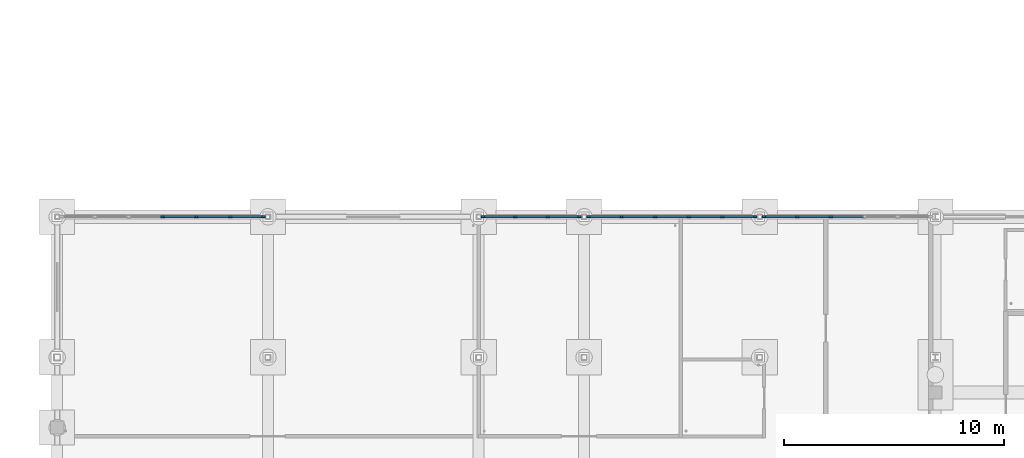
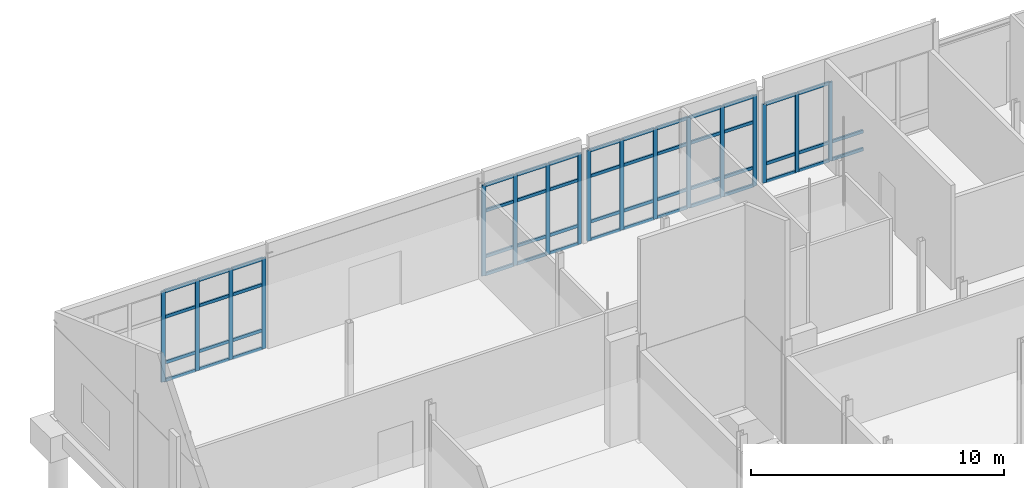
# One storey, part 29 of 111: 69 members, 4 elements without a shape of their own.
"""IFC4 building model written with IfcOpenShell, lengths in metres."""

from ifc_helpers import new_model, si_unit, direction, frame, origin, origin_2d, place, context, subcontext, project, spatial, rectangle, extrude, material, material_profile, profile_set, type_object, element, aggregate, save


model = new_model("IFC4")

# Units and contexts
model_context = context("Model", 3, precision=1e-05, world=origin(), true_north=direction((0.0, 1.0)))
body_context = subcontext(model_context, "Body", "Model", "MODEL_VIEW")
ifc_project = project(units=[si_unit("LENGTHUNIT", "METRE"), si_unit("AREAUNIT", "SQUARE_METRE"), si_unit("VOLUMEUNIT", "CUBIC_METRE"), si_unit("PLANEANGLEUNIT", "RADIAN"), si_unit("MASSUNIT", "GRAM", prefix="KILO")], contexts=[model_context])

# Site, building, storey
site_placement = place(None, origin())
site = spatial("IfcSite", under=ifc_project, at=site_placement, CompositionType="ELEMENT")
building_placement = place(site_placement, origin())
building = spatial("IfcBuilding", under=site, at=building_placement, Name="Dunescarp Central Library", CompositionType="ELEMENT")
storey_placement = place(building_placement, origin())
storey = spatial("IfcBuildingStorey", under=building, at=storey_placement, Name="L00", CompositionType="ELEMENT", Elevation=0.0)

# Curtain wall, members
ifc_material = material(Name="Marine-grade anodised aluminium 6063-T6", Category="aluminium")
curtain_wall_type = type_object("IfcCurtainWallType", Name="ARC-CW-STICK", PredefinedType="NOTDEFINED", material=ifc_material)
curtain_wall_1_placement = place(storey_placement, origin())
curtain_wall_1 = element("IfcCurtainWall", 1, at=curtain_wall_1_placement, inside=storey, type_object=curtain_wall_type, Name="L00 curtain wall CW-CLN-189", PredefinedType="NOTDEFINED")
ifc_material_profile_1 = material_profile(ifc_material, rectangle(XDim=0.080078125, YDim=0.179931640625, at=origin_2d()), Name="AL 80x180")
ifc_profile_set_1 = profile_set([ifc_material_profile_1], Name="Marine-grade anodised aluminium 6063-T6")
member_type_1 = type_object("IfcMemberType", Name="ARC-CWM-180", PredefinedType="MULLION", material=ifc_profile_set_1)
member_1_placement = place(storey_placement, frame((62.39990234375, 49.60009765625, 0.0), z_axis=(0.0, 0.0, 1.0), x_axis=(0.0, 1.0, 0.0)))
member_1 = element("IfcMember", 2, at=member_1_placement, type_object=member_type_1, Name="CW-CLN-189 mullion 4", PredefinedType="MULLION", context=body_context, shape_type="SweptSolid", body=[
    extrude(rectangle(XDim=0.080078125, YDim=0.179931640625, at=origin_2d()), origin(), (0.0, 0.0, 1.0), 4.3720703125),
])
member_2_placement = place(storey_placement, frame((63.941650390625, 49.60009765625, 0.0), z_axis=(0.0, 0.0, 1.0), x_axis=(0.0, 1.0, 0.0)))
member_2 = element("IfcMember", 3, at=member_2_placement, type_object=member_type_1, Name="CW-CLN-189 mullion 5", PredefinedType="MULLION", context=body_context, shape_type="SweptSolid", body=[
    extrude(rectangle(XDim=0.080078125, YDim=0.179931640625, at=origin_2d()), origin(), (0.0, 0.0, 1.0), 4.3720703125),
])
member_3_placement = place(storey_placement, frame((65.4833984375, 49.60009765625, 0.0), z_axis=(0.0, 0.0, 1.0), x_axis=(0.0, 1.0, 0.0)))
member_3 = element("IfcMember", 4, at=member_3_placement, type_object=member_type_1, Name="CW-CLN-189 mullion 6", PredefinedType="MULLION", context=body_context, shape_type="SweptSolid", body=[
    extrude(rectangle(XDim=0.080078125, YDim=0.179931640625, at=origin_2d()), origin(), (0.0, 0.0, 1.0), 4.3720703125),
])
member_4_placement = place(storey_placement, frame((66.985107421875, 49.60009765625, 0.0), z_axis=(0.0, 0.0, 1.0), x_axis=(0.0, 1.0, 0.0)))
member_4 = element("IfcMember", 5, at=member_4_placement, type_object=member_type_1, Name="CW-CLN-189 mullion 7", PredefinedType="MULLION", context=body_context, shape_type="SweptSolid", body=[
    extrude(rectangle(XDim=0.080078125, YDim=0.179931640625, at=origin_2d()), origin(), (0.0, 0.0, 1.0), 4.3720703125),
])

curtain_wall_2_placement = place(storey_placement, origin())
curtain_wall_2 = element("IfcCurtainWall", 6, at=curtain_wall_2_placement, inside=storey, type_object=curtain_wall_type, Name="L00 curtain wall CW-CLN-190", PredefinedType="NOTDEFINED")
member_5_placement = place(storey_placement, frame((77.014892578125, 49.60009765625, 0.0), z_axis=(0.0, 0.0, 1.0), x_axis=(0.0, 1.0, 0.0)))
member_5 = element("IfcMember", 7, at=member_5_placement, type_object=member_type_1, Name="CW-CLN-190 mullion 1", PredefinedType="MULLION", context=body_context, shape_type="SweptSolid", body=[
    extrude(rectangle(XDim=0.080078125, YDim=0.179931640625, at=origin_2d()), origin(), (0.0, 0.0, 1.0), 4.3720703125),
])
member_6_placement = place(storey_placement, frame((78.458251953125, 49.60009765625, 0.0), z_axis=(0.0, 0.0, 1.0), x_axis=(0.0, 1.0, 0.0)))
member_6 = element("IfcMember", 8, at=member_6_placement, type_object=member_type_1, Name="CW-CLN-190 mullion 2", PredefinedType="MULLION", context=body_context, shape_type="SweptSolid", body=[
    extrude(rectangle(XDim=0.080078125, YDim=0.179931640625, at=origin_2d()), origin(), (0.0, 0.0, 1.0), 4.3720703125),
])
member_7_placement = place(storey_placement, frame((79.941650390625, 49.60009765625, 0.0), z_axis=(0.0, 0.0, 1.0), x_axis=(0.0, 1.0, 0.0)))
member_7 = element("IfcMember", 9, at=member_7_placement, type_object=member_type_1, Name="CW-CLN-190 mullion 3", PredefinedType="MULLION", context=body_context, shape_type="SweptSolid", body=[
    extrude(rectangle(XDim=0.080078125, YDim=0.179931640625, at=origin_2d()), origin(), (0.0, 0.0, 1.0), 4.3720703125),
])
member_8_placement = place(storey_placement, frame((81.385009765625, 49.60009765625, 0.0), z_axis=(0.0, 0.0, 1.0), x_axis=(0.0, 1.0, 0.0)))
member_8 = element("IfcMember", 10, at=member_8_placement, type_object=member_type_1, Name="CW-CLN-190 mullion 4", PredefinedType="MULLION", context=body_context, shape_type="SweptSolid", body=[
    extrude(rectangle(XDim=0.080078125, YDim=0.179931640625, at=origin_2d()), origin(), (0.0, 0.0, 1.0), 4.3720703125),
])

curtain_wall_3_placement = place(storey_placement, origin())
curtain_wall_3 = element("IfcCurtainWall", 11, at=curtain_wall_3_placement, inside=storey, type_object=curtain_wall_type, Name="L00 curtain wall CW-CLN-191", PredefinedType="NOTDEFINED")
member_9_placement = place(storey_placement, frame((81.81494140625, 49.60009765625, 0.0), z_axis=(0.0, 0.0, 1.0), x_axis=(0.0, 1.0, 0.0)))
member_9 = element("IfcMember", 12, at=member_9_placement, type_object=member_type_1, Name="CW-CLN-191 mullion 1", PredefinedType="MULLION", context=body_context, shape_type="SweptSolid", body=[
    extrude(rectangle(XDim=0.080078125, YDim=0.179931640625, at=origin_2d()), origin(), (0.0, 0.0, 1.0), 4.3720703125),
])
member_10_placement = place(storey_placement, frame((83.304931640625, 49.60009765625, 0.0), z_axis=(0.0, 0.0, 1.0), x_axis=(0.0, 1.0, 0.0)))
member_10 = element("IfcMember", 13, at=member_10_placement, type_object=member_type_1, Name="CW-CLN-191 mullion 2", PredefinedType="MULLION", context=body_context, shape_type="SweptSolid", body=[
    extrude(rectangle(XDim=0.080078125, YDim=0.179931640625, at=origin_2d()), origin(), (0.0, 0.0, 1.0), 4.3720703125),
])
member_11_placement = place(storey_placement, frame((84.8349609375, 49.60009765625, 0.0), z_axis=(0.0, 0.0, 1.0), x_axis=(0.0, 1.0, 0.0)))
member_11 = element("IfcMember", 14, at=member_11_placement, type_object=member_type_1, Name="CW-CLN-191 mullion 3", PredefinedType="MULLION", context=body_context, shape_type="SweptSolid", body=[
    extrude(rectangle(XDim=0.080078125, YDim=0.179931640625, at=origin_2d()), origin(), (0.0, 0.0, 1.0), 4.3720703125),
])
member_12_placement = place(storey_placement, frame((86.364990234375, 49.60009765625, 0.0), z_axis=(0.0, 0.0, 1.0), x_axis=(0.0, 1.0, 0.0)))
member_12 = element("IfcMember", 15, at=member_12_placement, type_object=member_type_1, Name="CW-CLN-191 mullion 4", PredefinedType="MULLION", context=body_context, shape_type="SweptSolid", body=[
    extrude(rectangle(XDim=0.080078125, YDim=0.179931640625, at=origin_2d()), origin(), (0.0, 0.0, 1.0), 4.3720703125),
])
member_13_placement = place(storey_placement, frame((87.89501953125, 49.60009765625, 0.0), z_axis=(0.0, 0.0, 1.0), x_axis=(0.0, 1.0, 0.0)))
member_13 = element("IfcMember", 16, at=member_13_placement, type_object=member_type_1, Name="CW-CLN-191 mullion 5", PredefinedType="MULLION", context=body_context, shape_type="SweptSolid", body=[
    extrude(rectangle(XDim=0.080078125, YDim=0.179931640625, at=origin_2d()), origin(), (0.0, 0.0, 1.0), 4.3720703125),
])
member_14_placement = place(storey_placement, frame((89.385009765625, 49.60009765625, 0.0), z_axis=(0.0, 0.0, 1.0), x_axis=(0.0, 1.0, 0.0)))
member_14 = element("IfcMember", 17, at=member_14_placement, type_object=member_type_1, Name="CW-CLN-191 mullion 6", PredefinedType="MULLION", context=body_context, shape_type="SweptSolid", body=[
    extrude(rectangle(XDim=0.080078125, YDim=0.179931640625, at=origin_2d()), origin(), (0.0, 0.0, 1.0), 4.3720703125),
])

curtain_wall_4_placement = place(storey_placement, origin())
curtain_wall_4 = element("IfcCurtainWall", 18, at=curtain_wall_4_placement, inside=storey, type_object=curtain_wall_type, Name="L00 curtain wall CW-CLN-192", PredefinedType="NOTDEFINED")
member_15_placement = place(storey_placement, frame((89.81494140625, 49.60009765625, 0.0), z_axis=(0.0, 0.0, 1.0), x_axis=(0.0, 1.0, 0.0)))
member_15 = element("IfcMember", 19, at=member_15_placement, type_object=member_type_1, Name="CW-CLN-192 mullion 1", PredefinedType="MULLION", context=body_context, shape_type="SweptSolid", body=[
    extrude(rectangle(XDim=0.080078125, YDim=0.179931640625, at=origin_2d()), origin(), (0.0, 0.0, 1.0), 3.804931640625),
])
member_16_placement = place(storey_placement, frame((91.304931640625, 49.60009765625, 0.0), z_axis=(0.0, 0.0, 1.0), x_axis=(0.0, 1.0, 0.0)))
member_16 = element("IfcMember", 20, at=member_16_placement, type_object=member_type_1, Name="CW-CLN-192 mullion 2", PredefinedType="MULLION", context=body_context, shape_type="SweptSolid", body=[
    extrude(rectangle(XDim=0.080078125, YDim=0.179931640625, at=origin_2d()), origin(), (0.0, 0.0, 1.0), 3.804931640625),
])
member_17_placement = place(storey_placement, frame((92.8349609375, 49.60009765625, 0.0), z_axis=(0.0, 0.0, 1.0), x_axis=(0.0, 1.0, 0.0)))
member_17 = element("IfcMember", 21, at=member_17_placement, type_object=member_type_1, Name="CW-CLN-192 mullion 3", PredefinedType="MULLION", context=body_context, shape_type="SweptSolid", body=[
    extrude(rectangle(XDim=0.080078125, YDim=0.179931640625, at=origin_2d()), origin(), (0.0, 0.0, 1.0), 3.804931640625),
])

# Member
ifc_material_profile_2 = material_profile(ifc_material, rectangle(XDim=0.080078125, YDim=0.14990234375, at=origin_2d()), Name="AL 80x150")
ifc_profile_set_2 = profile_set([ifc_material_profile_2], Name="Marine-grade anodised aluminium 6063-T6")
member_type_2 = type_object("IfcMemberType", Name="ARC-CWT-150", PredefinedType="USERDEFINED", material=ifc_profile_set_2)
member_18_placement = place(storey_placement, frame((62.43994140625, 49.60009765625, 0.0400390625), z_axis=(1.0, 0.0, 0.0), x_axis=(0.0, 1.0, 0.0)))
member_18 = element("IfcMember", 22, at=member_18_placement, type_object=member_type_2, Name="CW-CLN-189 transom 4.1", ObjectType="TRANSOM", PredefinedType="USERDEFINED", context=body_context, shape_type="SweptSolid", body=[
    extrude(rectangle(XDim=0.080078125, YDim=0.14990234375, at=origin_2d()), origin(), (0.0, 0.0, 1.0), 1.461669921875),
])

member_19_placement = place(storey_placement, frame((62.43994140625, 49.60009765625, 0.89990234375), z_axis=(1.0, 0.0, 0.0), x_axis=(0.0, 1.0, 0.0)))
member_19 = element("IfcMember", 23, at=member_19_placement, type_object=member_type_2, Name="CW-CLN-189 transom 4.2", ObjectType="TRANSOM", PredefinedType="USERDEFINED", context=body_context, shape_type="SweptSolid", body=[
    extrude(rectangle(XDim=0.080078125, YDim=0.14990234375, at=origin_2d()), origin(), (0.0, 0.0, 1.0), 1.461669921875),
])

member_20_placement = place(storey_placement, frame((62.43994140625, 49.60009765625, 3.10009765625), z_axis=(1.0, 0.0, 0.0), x_axis=(0.0, 1.0, 0.0)))
member_20 = element("IfcMember", 24, at=member_20_placement, type_object=member_type_2, Name="CW-CLN-189 transom 4.3", ObjectType="TRANSOM", PredefinedType="USERDEFINED", context=body_context, shape_type="SweptSolid", body=[
    extrude(rectangle(XDim=0.080078125, YDim=0.14990234375, at=origin_2d()), origin(), (0.0, 0.0, 1.0), 1.461669921875),
])

member_21_placement = place(storey_placement, frame((62.43994140625, 49.60009765625, 4.33203125), z_axis=(1.0, 0.0, 0.0), x_axis=(0.0, 1.0, 0.0)))
member_21 = element("IfcMember", 25, at=member_21_placement, type_object=member_type_2, Name="CW-CLN-189 transom 4.4", ObjectType="TRANSOM", PredefinedType="USERDEFINED", context=body_context, shape_type="SweptSolid", body=[
    extrude(rectangle(XDim=0.080078125, YDim=0.14990234375, at=origin_2d()), origin(), (0.0, 0.0, 1.0), 1.461669921875),
])

member_22_placement = place(storey_placement, frame((63.981689453125, 49.60009765625, 0.0400390625), z_axis=(1.0, 0.0, 0.0), x_axis=(0.0, 1.0, 0.0)))
member_22 = element("IfcMember", 26, at=member_22_placement, type_object=member_type_2, Name="CW-CLN-189 transom 5.1", ObjectType="TRANSOM", PredefinedType="USERDEFINED", context=body_context, shape_type="SweptSolid", body=[
    extrude(rectangle(XDim=0.080078125, YDim=0.14990234375, at=origin_2d()), origin(), (0.0, 0.0, 1.0), 1.461669921875),
])

member_23_placement = place(storey_placement, frame((63.981689453125, 49.60009765625, 0.89990234375), z_axis=(1.0, 0.0, 0.0), x_axis=(0.0, 1.0, 0.0)))
member_23 = element("IfcMember", 27, at=member_23_placement, type_object=member_type_2, Name="CW-CLN-189 transom 5.2", ObjectType="TRANSOM", PredefinedType="USERDEFINED", context=body_context, shape_type="SweptSolid", body=[
    extrude(rectangle(XDim=0.080078125, YDim=0.14990234375, at=origin_2d()), origin(), (0.0, 0.0, 1.0), 1.461669921875),
])

member_24_placement = place(storey_placement, frame((63.981689453125, 49.60009765625, 3.10009765625), z_axis=(1.0, 0.0, 0.0), x_axis=(0.0, 1.0, 0.0)))
member_24 = element("IfcMember", 28, at=member_24_placement, type_object=member_type_2, Name="CW-CLN-189 transom 5.3", ObjectType="TRANSOM", PredefinedType="USERDEFINED", context=body_context, shape_type="SweptSolid", body=[
    extrude(rectangle(XDim=0.080078125, YDim=0.14990234375, at=origin_2d()), origin(), (0.0, 0.0, 1.0), 1.461669921875),
])

member_25_placement = place(storey_placement, frame((63.981689453125, 49.60009765625, 4.33203125), z_axis=(1.0, 0.0, 0.0), x_axis=(0.0, 1.0, 0.0)))
member_25 = element("IfcMember", 29, at=member_25_placement, type_object=member_type_2, Name="CW-CLN-189 transom 5.4", ObjectType="TRANSOM", PredefinedType="USERDEFINED", context=body_context, shape_type="SweptSolid", body=[
    extrude(rectangle(XDim=0.080078125, YDim=0.14990234375, at=origin_2d()), origin(), (0.0, 0.0, 1.0), 1.461669921875),
])

member_26_placement = place(storey_placement, frame((65.5234375, 49.60009765625, 0.0400390625), z_axis=(1.0, 0.0, 0.0), x_axis=(0.0, 1.0, 0.0)))
member_26 = element("IfcMember", 30, at=member_26_placement, type_object=member_type_2, Name="CW-CLN-189 transom 6.1", ObjectType="TRANSOM", PredefinedType="USERDEFINED", context=body_context, shape_type="SweptSolid", body=[
    extrude(rectangle(XDim=0.080078125, YDim=0.14990234375, at=origin_2d()), origin(), (0.0, 0.0, 1.0), 1.421630859375),
])

member_27_placement = place(storey_placement, frame((65.5234375, 49.60009765625, 0.89990234375), z_axis=(1.0, 0.0, 0.0), x_axis=(0.0, 1.0, 0.0)))
member_27 = element("IfcMember", 31, at=member_27_placement, type_object=member_type_2, Name="CW-CLN-189 transom 6.2", ObjectType="TRANSOM", PredefinedType="USERDEFINED", context=body_context, shape_type="SweptSolid", body=[
    extrude(rectangle(XDim=0.080078125, YDim=0.14990234375, at=origin_2d()), origin(), (0.0, 0.0, 1.0), 1.421630859375),
])

member_28_placement = place(storey_placement, frame((65.5234375, 49.60009765625, 3.10009765625), z_axis=(1.0, 0.0, 0.0), x_axis=(0.0, 1.0, 0.0)))
member_28 = element("IfcMember", 32, at=member_28_placement, type_object=member_type_2, Name="CW-CLN-189 transom 6.3", ObjectType="TRANSOM", PredefinedType="USERDEFINED", context=body_context, shape_type="SweptSolid", body=[
    extrude(rectangle(XDim=0.080078125, YDim=0.14990234375, at=origin_2d()), origin(), (0.0, 0.0, 1.0), 1.421630859375),
])

member_29_placement = place(storey_placement, frame((65.5234375, 49.60009765625, 4.33203125), z_axis=(1.0, 0.0, 0.0), x_axis=(0.0, 1.0, 0.0)))
member_29 = element("IfcMember", 33, at=member_29_placement, type_object=member_type_2, Name="CW-CLN-189 transom 6.4", ObjectType="TRANSOM", PredefinedType="USERDEFINED", context=body_context, shape_type="SweptSolid", body=[
    extrude(rectangle(XDim=0.080078125, YDim=0.14990234375, at=origin_2d()), origin(), (0.0, 0.0, 1.0), 1.421630859375),
])

aggregate(curtain_wall_1, [member_1, member_2, member_3, member_4, member_18, member_19, member_20, member_21, member_22, member_23, member_24, member_25, member_26, member_27, member_28, member_29])

member_30_placement = place(storey_placement, frame((77.054931640625, 49.60009765625, 0.0400390625), z_axis=(1.0, 0.0, 0.0), x_axis=(0.0, 1.0, 0.0)))
member_30 = element("IfcMember", 34, at=member_30_placement, type_object=member_type_2, Name="CW-CLN-190 transom 1.1", ObjectType="TRANSOM", PredefinedType="USERDEFINED", context=body_context, shape_type="SweptSolid", body=[
    extrude(rectangle(XDim=0.080078125, YDim=0.14990234375, at=origin_2d()), origin(), (0.0, 0.0, 1.0), 1.36328125),
])

member_31_placement = place(storey_placement, frame((77.054931640625, 49.60009765625, 0.89990234375), z_axis=(1.0, 0.0, 0.0), x_axis=(0.0, 1.0, 0.0)))
member_31 = element("IfcMember", 35, at=member_31_placement, type_object=member_type_2, Name="CW-CLN-190 transom 1.2", ObjectType="TRANSOM", PredefinedType="USERDEFINED", context=body_context, shape_type="SweptSolid", body=[
    extrude(rectangle(XDim=0.080078125, YDim=0.14990234375, at=origin_2d()), origin(), (0.0, 0.0, 1.0), 1.36328125),
])

member_32_placement = place(storey_placement, frame((77.054931640625, 49.60009765625, 3.10009765625), z_axis=(1.0, 0.0, 0.0), x_axis=(0.0, 1.0, 0.0)))
member_32 = element("IfcMember", 36, at=member_32_placement, type_object=member_type_2, Name="CW-CLN-190 transom 1.3", ObjectType="TRANSOM", PredefinedType="USERDEFINED", context=body_context, shape_type="SweptSolid", body=[
    extrude(rectangle(XDim=0.080078125, YDim=0.14990234375, at=origin_2d()), origin(), (0.0, 0.0, 1.0), 1.36328125),
])

member_33_placement = place(storey_placement, frame((77.054931640625, 49.60009765625, 4.33203125), z_axis=(1.0, 0.0, 0.0), x_axis=(0.0, 1.0, 0.0)))
member_33 = element("IfcMember", 37, at=member_33_placement, type_object=member_type_2, Name="CW-CLN-190 transom 1.4", ObjectType="TRANSOM", PredefinedType="USERDEFINED", context=body_context, shape_type="SweptSolid", body=[
    extrude(rectangle(XDim=0.080078125, YDim=0.14990234375, at=origin_2d()), origin(), (0.0, 0.0, 1.0), 1.36328125),
])

member_34_placement = place(storey_placement, frame((78.498291015625, 49.60009765625, 0.0400390625), z_axis=(1.0, 0.0, 0.0), x_axis=(0.0, 1.0, 0.0)))
member_34 = element("IfcMember", 38, at=member_34_placement, type_object=member_type_2, Name="CW-CLN-190 transom 2.1", ObjectType="TRANSOM", PredefinedType="USERDEFINED", context=body_context, shape_type="SweptSolid", body=[
    extrude(rectangle(XDim=0.080078125, YDim=0.14990234375, at=origin_2d()), origin(), (0.0, 0.0, 1.0), 1.4033203125),
])

member_35_placement = place(storey_placement, frame((78.498291015625, 49.60009765625, 0.89990234375), z_axis=(1.0, 0.0, 0.0), x_axis=(0.0, 1.0, 0.0)))
member_35 = element("IfcMember", 39, at=member_35_placement, type_object=member_type_2, Name="CW-CLN-190 transom 2.2", ObjectType="TRANSOM", PredefinedType="USERDEFINED", context=body_context, shape_type="SweptSolid", body=[
    extrude(rectangle(XDim=0.080078125, YDim=0.14990234375, at=origin_2d()), origin(), (0.0, 0.0, 1.0), 1.4033203125),
])

member_36_placement = place(storey_placement, frame((78.498291015625, 49.60009765625, 3.10009765625), z_axis=(1.0, 0.0, 0.0), x_axis=(0.0, 1.0, 0.0)))
member_36 = element("IfcMember", 40, at=member_36_placement, type_object=member_type_2, Name="CW-CLN-190 transom 2.3", ObjectType="TRANSOM", PredefinedType="USERDEFINED", context=body_context, shape_type="SweptSolid", body=[
    extrude(rectangle(XDim=0.080078125, YDim=0.14990234375, at=origin_2d()), origin(), (0.0, 0.0, 1.0), 1.4033203125),
])

member_37_placement = place(storey_placement, frame((78.498291015625, 49.60009765625, 4.33203125), z_axis=(1.0, 0.0, 0.0), x_axis=(0.0, 1.0, 0.0)))
member_37 = element("IfcMember", 41, at=member_37_placement, type_object=member_type_2, Name="CW-CLN-190 transom 2.4", ObjectType="TRANSOM", PredefinedType="USERDEFINED", context=body_context, shape_type="SweptSolid", body=[
    extrude(rectangle(XDim=0.080078125, YDim=0.14990234375, at=origin_2d()), origin(), (0.0, 0.0, 1.0), 1.4033203125),
])

member_38_placement = place(storey_placement, frame((79.981689453125, 49.60009765625, 0.0400390625), z_axis=(1.0, 0.0, 0.0), x_axis=(0.0, 1.0, 0.0)))
member_38 = element("IfcMember", 42, at=member_38_placement, type_object=member_type_2, Name="CW-CLN-190 transom 3.1", ObjectType="TRANSOM", PredefinedType="USERDEFINED", context=body_context, shape_type="SweptSolid", body=[
    extrude(rectangle(XDim=0.080078125, YDim=0.14990234375, at=origin_2d()), origin(), (0.0, 0.0, 1.0), 1.36328125),
])

member_39_placement = place(storey_placement, frame((79.981689453125, 49.60009765625, 0.89990234375), z_axis=(1.0, 0.0, 0.0), x_axis=(0.0, 1.0, 0.0)))
member_39 = element("IfcMember", 43, at=member_39_placement, type_object=member_type_2, Name="CW-CLN-190 transom 3.2", ObjectType="TRANSOM", PredefinedType="USERDEFINED", context=body_context, shape_type="SweptSolid", body=[
    extrude(rectangle(XDim=0.080078125, YDim=0.14990234375, at=origin_2d()), origin(), (0.0, 0.0, 1.0), 1.36328125),
])

member_40_placement = place(storey_placement, frame((79.981689453125, 49.60009765625, 3.10009765625), z_axis=(1.0, 0.0, 0.0), x_axis=(0.0, 1.0, 0.0)))
member_40 = element("IfcMember", 44, at=member_40_placement, type_object=member_type_2, Name="CW-CLN-190 transom 3.3", ObjectType="TRANSOM", PredefinedType="USERDEFINED", context=body_context, shape_type="SweptSolid", body=[
    extrude(rectangle(XDim=0.080078125, YDim=0.14990234375, at=origin_2d()), origin(), (0.0, 0.0, 1.0), 1.36328125),
])

member_41_placement = place(storey_placement, frame((79.981689453125, 49.60009765625, 4.33203125), z_axis=(1.0, 0.0, 0.0), x_axis=(0.0, 1.0, 0.0)))
member_41 = element("IfcMember", 45, at=member_41_placement, type_object=member_type_2, Name="CW-CLN-190 transom 3.4", ObjectType="TRANSOM", PredefinedType="USERDEFINED", context=body_context, shape_type="SweptSolid", body=[
    extrude(rectangle(XDim=0.080078125, YDim=0.14990234375, at=origin_2d()), origin(), (0.0, 0.0, 1.0), 1.36328125),
])

aggregate(curtain_wall_2, [member_5, member_6, member_7, member_8, member_30, member_31, member_32, member_33, member_34, member_35, member_36, member_37, member_38, member_39, member_40, member_41])

member_42_placement = place(storey_placement, frame((81.85498046875, 49.60009765625, 0.0400390625), z_axis=(1.0, 0.0, 0.0), x_axis=(0.0, 1.0, 0.0)))
member_42 = element("IfcMember", 46, at=member_42_placement, type_object=member_type_2, Name="CW-CLN-191 transom 1.1", ObjectType="TRANSOM", PredefinedType="USERDEFINED", context=body_context, shape_type="SweptSolid", body=[
    extrude(rectangle(XDim=0.080078125, YDim=0.14990234375, at=origin_2d()), origin(), (0.0, 0.0, 1.0), 1.409912109375),
])

member_43_placement = place(storey_placement, frame((81.85498046875, 49.60009765625, 0.89990234375), z_axis=(1.0, 0.0, 0.0), x_axis=(0.0, 1.0, 0.0)))
member_43 = element("IfcMember", 47, at=member_43_placement, type_object=member_type_2, Name="CW-CLN-191 transom 1.2", ObjectType="TRANSOM", PredefinedType="USERDEFINED", context=body_context, shape_type="SweptSolid", body=[
    extrude(rectangle(XDim=0.080078125, YDim=0.14990234375, at=origin_2d()), origin(), (0.0, 0.0, 1.0), 1.409912109375),
])

member_44_placement = place(storey_placement, frame((81.85498046875, 49.60009765625, 3.10009765625), z_axis=(1.0, 0.0, 0.0), x_axis=(0.0, 1.0, 0.0)))
member_44 = element("IfcMember", 48, at=member_44_placement, type_object=member_type_2, Name="CW-CLN-191 transom 1.3", ObjectType="TRANSOM", PredefinedType="USERDEFINED", context=body_context, shape_type="SweptSolid", body=[
    extrude(rectangle(XDim=0.080078125, YDim=0.14990234375, at=origin_2d()), origin(), (0.0, 0.0, 1.0), 1.409912109375),
])

member_45_placement = place(storey_placement, frame((81.85498046875, 49.60009765625, 4.33203125), z_axis=(1.0, 0.0, 0.0), x_axis=(0.0, 1.0, 0.0)))
member_45 = element("IfcMember", 49, at=member_45_placement, type_object=member_type_2, Name="CW-CLN-191 transom 1.4", ObjectType="TRANSOM", PredefinedType="USERDEFINED", context=body_context, shape_type="SweptSolid", body=[
    extrude(rectangle(XDim=0.080078125, YDim=0.14990234375, at=origin_2d()), origin(), (0.0, 0.0, 1.0), 1.409912109375),
])

member_46_placement = place(storey_placement, frame((83.344970703125, 49.60009765625, 0.0400390625), z_axis=(1.0, 0.0, 0.0), x_axis=(0.0, 1.0, 0.0)))
member_46 = element("IfcMember", 50, at=member_46_placement, type_object=member_type_2, Name="CW-CLN-191 transom 2.1", ObjectType="TRANSOM", PredefinedType="USERDEFINED", context=body_context, shape_type="SweptSolid", body=[
    extrude(rectangle(XDim=0.080078125, YDim=0.14990234375, at=origin_2d()), origin(), (0.0, 0.0, 1.0), 1.449951171875),
])

member_47_placement = place(storey_placement, frame((83.344970703125, 49.60009765625, 0.89990234375), z_axis=(1.0, 0.0, 0.0), x_axis=(0.0, 1.0, 0.0)))
member_47 = element("IfcMember", 51, at=member_47_placement, type_object=member_type_2, Name="CW-CLN-191 transom 2.2", ObjectType="TRANSOM", PredefinedType="USERDEFINED", context=body_context, shape_type="SweptSolid", body=[
    extrude(rectangle(XDim=0.080078125, YDim=0.14990234375, at=origin_2d()), origin(), (0.0, 0.0, 1.0), 1.449951171875),
])

member_48_placement = place(storey_placement, frame((83.344970703125, 49.60009765625, 3.10009765625), z_axis=(1.0, 0.0, 0.0), x_axis=(0.0, 1.0, 0.0)))
member_48 = element("IfcMember", 52, at=member_48_placement, type_object=member_type_2, Name="CW-CLN-191 transom 2.3", ObjectType="TRANSOM", PredefinedType="USERDEFINED", context=body_context, shape_type="SweptSolid", body=[
    extrude(rectangle(XDim=0.080078125, YDim=0.14990234375, at=origin_2d()), origin(), (0.0, 0.0, 1.0), 1.449951171875),
])

member_49_placement = place(storey_placement, frame((83.344970703125, 49.60009765625, 4.33203125), z_axis=(1.0, 0.0, 0.0), x_axis=(0.0, 1.0, 0.0)))
member_49 = element("IfcMember", 53, at=member_49_placement, type_object=member_type_2, Name="CW-CLN-191 transom 2.4", ObjectType="TRANSOM", PredefinedType="USERDEFINED", context=body_context, shape_type="SweptSolid", body=[
    extrude(rectangle(XDim=0.080078125, YDim=0.14990234375, at=origin_2d()), origin(), (0.0, 0.0, 1.0), 1.449951171875),
])

member_50_placement = place(storey_placement, frame((84.875, 49.60009765625, 0.0400390625), z_axis=(1.0, 0.0, 0.0), x_axis=(0.0, 1.0, 0.0)))
member_50 = element("IfcMember", 54, at=member_50_placement, type_object=member_type_2, Name="CW-CLN-191 transom 3.1", ObjectType="TRANSOM", PredefinedType="USERDEFINED", context=body_context, shape_type="SweptSolid", body=[
    extrude(rectangle(XDim=0.080078125, YDim=0.14990234375, at=origin_2d()), origin(), (0.0, 0.0, 1.0), 1.449951171875),
])

member_51_placement = place(storey_placement, frame((84.875, 49.60009765625, 0.89990234375), z_axis=(1.0, 0.0, 0.0), x_axis=(0.0, 1.0, 0.0)))
member_51 = element("IfcMember", 55, at=member_51_placement, type_object=member_type_2, Name="CW-CLN-191 transom 3.2", ObjectType="TRANSOM", PredefinedType="USERDEFINED", context=body_context, shape_type="SweptSolid", body=[
    extrude(rectangle(XDim=0.080078125, YDim=0.14990234375, at=origin_2d()), origin(), (0.0, 0.0, 1.0), 1.449951171875),
])

member_52_placement = place(storey_placement, frame((84.875, 49.60009765625, 3.10009765625), z_axis=(1.0, 0.0, 0.0), x_axis=(0.0, 1.0, 0.0)))
member_52 = element("IfcMember", 56, at=member_52_placement, type_object=member_type_2, Name="CW-CLN-191 transom 3.3", ObjectType="TRANSOM", PredefinedType="USERDEFINED", context=body_context, shape_type="SweptSolid", body=[
    extrude(rectangle(XDim=0.080078125, YDim=0.14990234375, at=origin_2d()), origin(), (0.0, 0.0, 1.0), 1.449951171875),
])

member_53_placement = place(storey_placement, frame((84.875, 49.60009765625, 4.33203125), z_axis=(1.0, 0.0, 0.0), x_axis=(0.0, 1.0, 0.0)))
member_53 = element("IfcMember", 57, at=member_53_placement, type_object=member_type_2, Name="CW-CLN-191 transom 3.4", ObjectType="TRANSOM", PredefinedType="USERDEFINED", context=body_context, shape_type="SweptSolid", body=[
    extrude(rectangle(XDim=0.080078125, YDim=0.14990234375, at=origin_2d()), origin(), (0.0, 0.0, 1.0), 1.449951171875),
])

member_54_placement = place(storey_placement, frame((86.405029296875, 49.60009765625, 0.0400390625), z_axis=(1.0, 0.0, 0.0), x_axis=(0.0, 1.0, 0.0)))
member_54 = element("IfcMember", 58, at=member_54_placement, type_object=member_type_2, Name="CW-CLN-191 transom 4.1", ObjectType="TRANSOM", PredefinedType="USERDEFINED", context=body_context, shape_type="SweptSolid", body=[
    extrude(rectangle(XDim=0.080078125, YDim=0.14990234375, at=origin_2d()), origin(), (0.0, 0.0, 1.0), 1.449951171875),
])

member_55_placement = place(storey_placement, frame((86.405029296875, 49.60009765625, 0.89990234375), z_axis=(1.0, 0.0, 0.0), x_axis=(0.0, 1.0, 0.0)))
member_55 = element("IfcMember", 59, at=member_55_placement, type_object=member_type_2, Name="CW-CLN-191 transom 4.2", ObjectType="TRANSOM", PredefinedType="USERDEFINED", context=body_context, shape_type="SweptSolid", body=[
    extrude(rectangle(XDim=0.080078125, YDim=0.14990234375, at=origin_2d()), origin(), (0.0, 0.0, 1.0), 1.449951171875),
])

member_56_placement = place(storey_placement, frame((86.405029296875, 49.60009765625, 3.10009765625), z_axis=(1.0, 0.0, 0.0), x_axis=(0.0, 1.0, 0.0)))
member_56 = element("IfcMember", 60, at=member_56_placement, type_object=member_type_2, Name="CW-CLN-191 transom 4.3", ObjectType="TRANSOM", PredefinedType="USERDEFINED", context=body_context, shape_type="SweptSolid", body=[
    extrude(rectangle(XDim=0.080078125, YDim=0.14990234375, at=origin_2d()), origin(), (0.0, 0.0, 1.0), 1.449951171875),
])

member_57_placement = place(storey_placement, frame((86.405029296875, 49.60009765625, 4.33203125), z_axis=(1.0, 0.0, 0.0), x_axis=(0.0, 1.0, 0.0)))
member_57 = element("IfcMember", 61, at=member_57_placement, type_object=member_type_2, Name="CW-CLN-191 transom 4.4", ObjectType="TRANSOM", PredefinedType="USERDEFINED", context=body_context, shape_type="SweptSolid", body=[
    extrude(rectangle(XDim=0.080078125, YDim=0.14990234375, at=origin_2d()), origin(), (0.0, 0.0, 1.0), 1.449951171875),
])

member_58_placement = place(storey_placement, frame((87.93505859375, 49.60009765625, 0.0400390625), z_axis=(1.0, 0.0, 0.0), x_axis=(0.0, 1.0, 0.0)))
member_58 = element("IfcMember", 62, at=member_58_placement, type_object=member_type_2, Name="CW-CLN-191 transom 5.1", ObjectType="TRANSOM", PredefinedType="USERDEFINED", context=body_context, shape_type="SweptSolid", body=[
    extrude(rectangle(XDim=0.080078125, YDim=0.14990234375, at=origin_2d()), origin(), (0.0, 0.0, 1.0), 1.409912109375),
])

member_59_placement = place(storey_placement, frame((87.93505859375, 49.60009765625, 0.89990234375), z_axis=(1.0, 0.0, 0.0), x_axis=(0.0, 1.0, 0.0)))
member_59 = element("IfcMember", 63, at=member_59_placement, type_object=member_type_2, Name="CW-CLN-191 transom 5.2", ObjectType="TRANSOM", PredefinedType="USERDEFINED", context=body_context, shape_type="SweptSolid", body=[
    extrude(rectangle(XDim=0.080078125, YDim=0.14990234375, at=origin_2d()), origin(), (0.0, 0.0, 1.0), 1.409912109375),
])

member_60_placement = place(storey_placement, frame((87.93505859375, 49.60009765625, 3.10009765625), z_axis=(1.0, 0.0, 0.0), x_axis=(0.0, 1.0, 0.0)))
member_60 = element("IfcMember", 64, at=member_60_placement, type_object=member_type_2, Name="CW-CLN-191 transom 5.3", ObjectType="TRANSOM", PredefinedType="USERDEFINED", context=body_context, shape_type="SweptSolid", body=[
    extrude(rectangle(XDim=0.080078125, YDim=0.14990234375, at=origin_2d()), origin(), (0.0, 0.0, 1.0), 1.409912109375),
])

member_61_placement = place(storey_placement, frame((87.93505859375, 49.60009765625, 4.33203125), z_axis=(1.0, 0.0, 0.0), x_axis=(0.0, 1.0, 0.0)))
member_61 = element("IfcMember", 65, at=member_61_placement, type_object=member_type_2, Name="CW-CLN-191 transom 5.4", ObjectType="TRANSOM", PredefinedType="USERDEFINED", context=body_context, shape_type="SweptSolid", body=[
    extrude(rectangle(XDim=0.080078125, YDim=0.14990234375, at=origin_2d()), origin(), (0.0, 0.0, 1.0), 1.409912109375),
])

aggregate(curtain_wall_3, [member_9, member_10, member_11, member_12, member_13, member_14, member_42, member_43, member_44, member_45, member_46, member_47, member_48, member_49, member_50, member_51, member_52, member_53, member_54, member_55, member_56, member_57, member_58, member_59, member_60, member_61])

member_62_placement = place(storey_placement, frame((89.85498046875, 49.60009765625, 0.0400390625), z_axis=(1.0, 0.0, 0.0), x_axis=(0.0, 1.0, 0.0)))
member_62 = element("IfcMember", 66, at=member_62_placement, type_object=member_type_2, Name="CW-CLN-192 transom 1.1", ObjectType="TRANSOM", PredefinedType="USERDEFINED", context=body_context, shape_type="SweptSolid", body=[
    extrude(rectangle(XDim=0.080078125, YDim=0.14990234375, at=origin_2d()), origin(), (0.0, 0.0, 1.0), 1.409912109375),
])

member_63_placement = place(storey_placement, frame((89.85498046875, 49.60009765625, 0.89990234375), z_axis=(1.0, 0.0, 0.0), x_axis=(0.0, 1.0, 0.0)))
member_63 = element("IfcMember", 67, at=member_63_placement, type_object=member_type_2, Name="CW-CLN-192 transom 1.2", ObjectType="TRANSOM", PredefinedType="USERDEFINED", context=body_context, shape_type="SweptSolid", body=[
    extrude(rectangle(XDim=0.080078125, YDim=0.14990234375, at=origin_2d()), origin(), (0.0, 0.0, 1.0), 1.409912109375),
])

member_64_placement = place(storey_placement, frame((89.85498046875, 49.60009765625, 3.764892578125), z_axis=(1.0, 0.0, 0.0), x_axis=(0.0, 1.0, 0.0)))
member_64 = element("IfcMember", 68, at=member_64_placement, type_object=member_type_2, Name="CW-CLN-192 transom 1.3", ObjectType="TRANSOM", PredefinedType="USERDEFINED", context=body_context, shape_type="SweptSolid", body=[
    extrude(rectangle(XDim=0.080078125, YDim=0.14990234375, at=origin_2d()), origin(), (0.0, 0.0, 1.0), 1.409912109375),
])

member_65_placement = place(storey_placement, frame((91.344970703125, 49.60009765625, 0.0400390625), z_axis=(1.0, 0.0, 0.0), x_axis=(0.0, 1.0, 0.0)))
member_65 = element("IfcMember", 69, at=member_65_placement, type_object=member_type_2, Name="CW-CLN-192 transom 2.1", ObjectType="TRANSOM", PredefinedType="USERDEFINED", context=body_context, shape_type="SweptSolid", body=[
    extrude(rectangle(XDim=0.080078125, YDim=0.14990234375, at=origin_2d()), origin(), (0.0, 0.0, 1.0), 1.449951171875),
])

member_66_placement = place(storey_placement, frame((91.344970703125, 49.60009765625, 0.89990234375), z_axis=(1.0, 0.0, 0.0), x_axis=(0.0, 1.0, 0.0)))
member_66 = element("IfcMember", 70, at=member_66_placement, type_object=member_type_2, Name="CW-CLN-192 transom 2.2", ObjectType="TRANSOM", PredefinedType="USERDEFINED", context=body_context, shape_type="SweptSolid", body=[
    extrude(rectangle(XDim=0.080078125, YDim=0.14990234375, at=origin_2d()), origin(), (0.0, 0.0, 1.0), 1.449951171875),
])

member_67_placement = place(storey_placement, frame((91.344970703125, 49.60009765625, 3.764892578125), z_axis=(1.0, 0.0, 0.0), x_axis=(0.0, 1.0, 0.0)))
member_67 = element("IfcMember", 71, at=member_67_placement, type_object=member_type_2, Name="CW-CLN-192 transom 2.3", ObjectType="TRANSOM", PredefinedType="USERDEFINED", context=body_context, shape_type="SweptSolid", body=[
    extrude(rectangle(XDim=0.080078125, YDim=0.14990234375, at=origin_2d()), origin(), (0.0, 0.0, 1.0), 1.449951171875),
])

member_68_placement = place(storey_placement, frame((92.875, 49.60009765625, 0.0400390625), z_axis=(1.0, 0.0, 0.0), x_axis=(0.0, 1.0, 0.0)))
member_68 = element("IfcMember", 72, at=member_68_placement, type_object=member_type_2, Name="CW-CLN-192 transom 3.1", ObjectType="TRANSOM", PredefinedType="USERDEFINED", context=body_context, shape_type="SweptSolid", body=[
    extrude(rectangle(XDim=0.080078125, YDim=0.14990234375, at=origin_2d()), origin(), (0.0, 0.0, 1.0), 1.449951171875),
])

member_69_placement = place(storey_placement, frame((92.875, 49.60009765625, 0.89990234375), z_axis=(1.0, 0.0, 0.0), x_axis=(0.0, 1.0, 0.0)))
member_69 = element("IfcMember", 73, at=member_69_placement, type_object=member_type_2, Name="CW-CLN-192 transom 3.2", ObjectType="TRANSOM", PredefinedType="USERDEFINED", context=body_context, shape_type="SweptSolid", body=[
    extrude(rectangle(XDim=0.080078125, YDim=0.14990234375, at=origin_2d()), origin(), (0.0, 0.0, 1.0), 1.449951171875),
])

aggregate(curtain_wall_4, [member_15, member_16, member_17, member_62, member_63, member_64, member_65, member_66, member_67, member_68, member_69])

save(model, "model.ifc")
